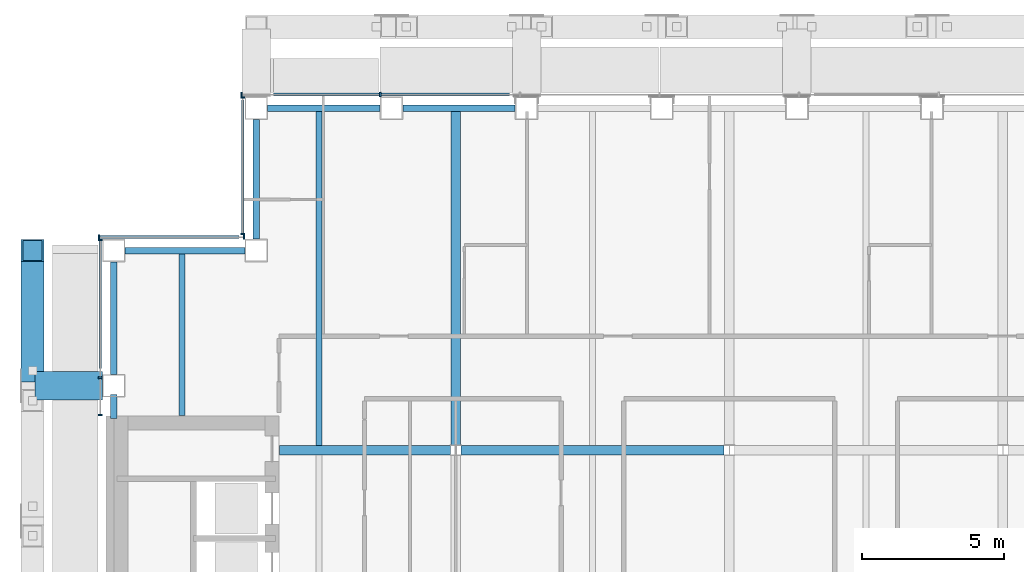
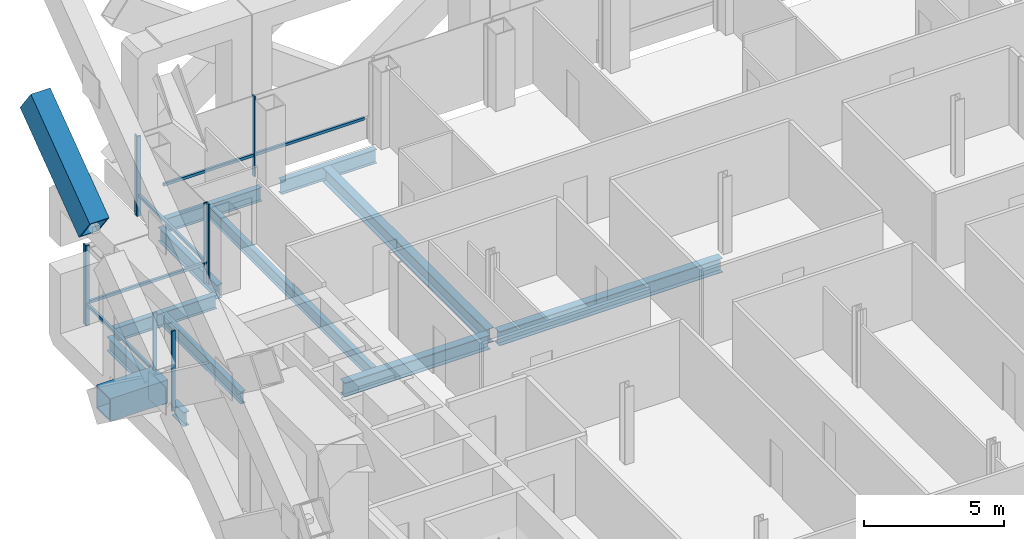
# One storey, part 8 of 25: 15 members, 12 beams, 4 elements without a shape of their own.
"""IFC4 building model written with IfcOpenShell, lengths in metres."""

from ifc_helpers import new_model, si_unit, direction, frame, origin, origin_2d, place, context, subcontext, project, spatial, rectangle, hollow_rectangle, i_section, extrude, material, material_profile, profile_set, type_object, element, aggregate, save


model = new_model("IFC4")

# Units and contexts
model_context = context("Model", 3, precision=1e-05, world=origin(), true_north=direction((0.0, 1.0)))
body_context = subcontext(model_context, "Body", "Model", "MODEL_VIEW")
ifc_project = project(units=[si_unit("LENGTHUNIT", "METRE"), si_unit("AREAUNIT", "SQUARE_METRE"), si_unit("VOLUMEUNIT", "CUBIC_METRE"), si_unit("PLANEANGLEUNIT", "RADIAN"), si_unit("MASSUNIT", "GRAM", prefix="KILO")], contexts=[model_context])

# Site, building, storey
site_placement = place(None, origin())
site = spatial("IfcSite", under=ifc_project, at=site_placement, CompositionType="ELEMENT")
building_placement = place(site_placement, origin())
building = spatial("IfcBuilding", under=site, at=building_placement, Name="Cobrizo Arcos Hotel Tower", CompositionType="ELEMENT")
storey_placement = place(building_placement, frame((0.0, 0.0, 148.0)))
storey = spatial("IfcBuildingStorey", under=building, at=storey_placement, Name="L37", CompositionType="ELEMENT", Elevation=148.0)

# Beam
ifc_material_1 = material(Name="Steel ASTM A572 Grade 50", Category="steel")
ifc_material_profile_1 = material_profile(ifc_material_1, hollow_rectangle(XDim=1.0, YDim=1.0, WallThickness=0.06005859375, at=origin_2d()), Name="BOX 1000X1000X60")
ifc_profile_set_1 = profile_set([ifc_material_profile_1], Name="Steel ASTM A572 Grade 50")
beam_type_1 = type_object("IfcBeamType", Name="BOX 1000X1000X60 brace connector strut", PredefinedType="BEAM", material=ifc_profile_set_1)
beam_1_placement = place(storey_placement, frame((-21.989990234375, 11.857177734375, 0.5), z_axis=(-1.0, 0.0, 0.0), x_axis=(0.0, -1.0, 0.0)))
element("IfcBeam", 1, at=beam_1_placement, inside=storey, type_object=beam_type_1, Name="Perimeter brace stub BS1, zone Z3, west face, offset +11.86 m, L37", PredefinedType="BEAM", context=body_context, shape_type="SweptSolid", body=[
    extrude(hollow_rectangle(XDim=1.0, YDim=1.0, WallThickness=0.06005859375, at=origin_2d()), origin(), (0.0, 0.0, 1.0), 2.380126953125),
])

# Member
ifc_material_profile_2 = material_profile(ifc_material_1, hollow_rectangle(XDim=0.800048828125, YDim=1.300048828125, WallThickness=0.06005859375, at=origin_2d()), Name="BOX 800X1300X60")
ifc_profile_set_2 = profile_set([ifc_material_profile_2], Name="Steel ASTM A572 Grade 50")
member_type_1 = type_object("IfcMemberType", Name="BOX 800X1300X60 perimeter brace", PredefinedType="BRACE", material=ifc_profile_set_2)
member_1_placement = place(storey_placement, frame((-24.449951171875, 12.38037109375, 7.885986328125), z_axis=(0.0, 0.804623858684, 0.593784848271), x_axis=(-1.0, 0.0, 0.0)))
element("IfcMember", 2, at=member_1_placement, inside=storey, type_object=member_type_1, Name="Perimeter brace PBR3, zone Z3, west face, no. 01c", PredefinedType="BRACE", context=body_context, shape_type="SweptSolid", body=[
    extrude(hollow_rectangle(XDim=0.800048828125, YDim=1.300048828125, WallThickness=0.06005859375, at=origin_2d()), origin(), (0.0, 0.0, 1.0), 5.244384765625),
])

# Curtain wall, members
ifc_material_2 = material(Name="Aluminium 6063-T6 anodised bronze", Category="aluminium")
curtain_wall_type = type_object("IfcCurtainWallType", Name="CW-A guest facade", PredefinedType="NOTDEFINED", material=ifc_material_2)
curtain_wall_1_placement = place(storey_placement, origin())
curtain_wall_1 = element("IfcCurtainWall", 3, at=curtain_wall_1_placement, inside=storey, type_object=curtain_wall_type, Name="CW-A L37 N face", PredefinedType="NOTDEFINED")
ifc_material_profile_3 = material_profile(ifc_material_2, rectangle(XDim=0.14990234375, YDim=0.06005859375, at=origin_2d()), Name="CW-A mullion 150x60")
ifc_profile_set_3 = profile_set([ifc_material_profile_3], Name="Aluminium 6063-T6 anodised bronze")
member_type_2 = type_object("IfcMemberType", Name="CW-A mullion 150x60", PredefinedType="MULLION", material=ifc_profile_set_3)
member_2_placement = place(storey_placement, frame((-12.25, 22.074951171875, 0.0), z_axis=(0.0, 0.0, 1.0), x_axis=(0.0, 1.0, 0.0)))
member_2 = element("IfcMember", 4, at=member_2_placement, type_object=member_type_2, Name="CW-A mullion 7", PredefinedType="MULLION", context=body_context, shape_type="SweptSolid", body=[
    extrude(rectangle(XDim=0.14990234375, YDim=0.06005859375, at=origin_2d()), origin(), (0.0, 0.0, 1.0), 3.5),
])
member_3_placement = place(storey_placement, frame((-17.1201171875, 22.074951171875, 0.0), z_axis=(0.0, 0.0, 1.0), x_axis=(0.0, 1.0, 0.0)))
member_3 = element("IfcMember", 5, at=member_3_placement, type_object=member_type_2, Name="CW-A mullion 8", PredefinedType="MULLION", context=body_context, shape_type="SweptSolid", body=[
    extrude(rectangle(XDim=0.14990234375, YDim=0.06005859375, at=origin_2d()), origin(), (0.0, 0.0, 1.0), 3.5),
])

curtain_wall_2_placement = place(storey_placement, origin())
curtain_wall_2 = element("IfcCurtainWall", 6, at=curtain_wall_2_placement, inside=storey, type_object=curtain_wall_type, Name="CW-A L37 W face", PredefinedType="NOTDEFINED")
member_4_placement = place(storey_placement, frame((-17.074951171875, 21.969970703125, 0.0), z_axis=(0.0, 0.0, 1.0), x_axis=(-1.0, 0.0, 0.0)))
member_4 = element("IfcMember", 7, at=member_4_placement, type_object=member_type_2, Name="CW-A mullion 1", PredefinedType="MULLION", context=body_context, shape_type="SweptSolid", body=[
    extrude(rectangle(XDim=0.14990234375, YDim=0.06005859375, at=origin_2d()), origin(), (0.0, 0.0, 1.0), 3.5),
])
member_5_placement = place(storey_placement, frame((-17.074951171875, 17.179931640625, 0.0), z_axis=(0.0, 0.0, 1.0), x_axis=(-1.0, 0.0, 0.0)))
member_5 = element("IfcMember", 8, at=member_5_placement, type_object=member_type_2, Name="CW-A mullion 2", PredefinedType="MULLION", context=body_context, shape_type="SweptSolid", body=[
    extrude(rectangle(XDim=0.14990234375, YDim=0.06005859375, at=origin_2d()), origin(), (0.0, 0.0, 1.0), 3.5),
])

curtain_wall_3_placement = place(storey_placement, origin())
curtain_wall_3 = element("IfcCurtainWall", 9, at=curtain_wall_3_placement, inside=storey, type_object=curtain_wall_type, Name="CW-A L37 N face", PredefinedType="NOTDEFINED")
member_6_placement = place(storey_placement, frame((-17.030029296875, 17.074951171875, 0.0), z_axis=(0.0, 0.0, 1.0), x_axis=(0.0, 1.0, 0.0)))
member_6 = element("IfcMember", 10, at=member_6_placement, type_object=member_type_2, Name="CW-A mullion 1", PredefinedType="MULLION", context=body_context, shape_type="SweptSolid", body=[
    extrude(rectangle(XDim=0.14990234375, YDim=0.06005859375, at=origin_2d()), origin(), (0.0, 0.0, 1.0), 3.5),
])
member_7_placement = place(storey_placement, frame((-22.1201171875, 17.074951171875, 0.0), z_axis=(0.0, 0.0, 1.0), x_axis=(0.0, 1.0, 0.0)))
member_7 = element("IfcMember", 11, at=member_7_placement, type_object=member_type_2, Name="CW-A mullion 2", PredefinedType="MULLION", context=body_context, shape_type="SweptSolid", body=[
    extrude(rectangle(XDim=0.14990234375, YDim=0.06005859375, at=origin_2d()), origin(), (0.0, 0.0, 1.0), 3.5),
])

curtain_wall_4_placement = place(storey_placement, origin())
curtain_wall_4 = element("IfcCurtainWall", 12, at=curtain_wall_4_placement, inside=storey, type_object=curtain_wall_type, Name="CW-A L37 W face", PredefinedType="NOTDEFINED")
member_8_placement = place(storey_placement, frame((-22.074951171875, 16.969970703125, 0.0), z_axis=(0.0, 0.0, 1.0), x_axis=(-1.0, 0.0, 0.0)))
member_8 = element("IfcMember", 13, at=member_8_placement, type_object=member_type_2, Name="CW-A mullion 1", PredefinedType="MULLION", context=body_context, shape_type="SweptSolid", body=[
    extrude(rectangle(XDim=0.14990234375, YDim=0.06005859375, at=origin_2d()), origin(), (0.0, 0.0, 1.0), 3.5),
])
member_9_placement = place(storey_placement, frame((-22.074951171875, 12.142822265625, 0.0), z_axis=(0.0, 0.0, 1.0), x_axis=(-1.0, 0.0, 0.0)))
member_9 = element("IfcMember", 14, at=member_9_placement, type_object=member_type_2, Name="CW-A mullion 2", PredefinedType="MULLION", context=body_context, shape_type="SweptSolid", body=[
    extrude(rectangle(XDim=0.14990234375, YDim=0.06005859375, at=origin_2d()), origin(), (0.0, 0.0, 1.0), 3.5),
])
member_10_placement = place(storey_placement, frame((-22.074951171875, 10.830078125, 0.0), z_axis=(0.0, 0.0, 1.0), x_axis=(-1.0, 0.0, 0.0)))
member_10 = element("IfcMember", 15, at=member_10_placement, type_object=member_type_2, Name="CW-A mullion 3", PredefinedType="MULLION", context=body_context, shape_type="SweptSolid", body=[
    extrude(rectangle(XDim=0.14990234375, YDim=0.06005859375, at=origin_2d()), origin(), (0.0, 0.0, 1.0), 3.5),
])

# Member
ifc_material_profile_4 = material_profile(ifc_material_2, rectangle(XDim=0.10009765625, YDim=0.1201171875, at=origin_2d()), Name="CW-A transom 120x100")
ifc_profile_set_4 = profile_set([ifc_material_profile_4], Name="Aluminium 6063-T6 anodised bronze")
member_type_3 = type_object("IfcMemberType", Name="CW-A transom 120x100", PredefinedType="USERDEFINED", material=ifc_profile_set_4)
member_11_placement = place(storey_placement, frame((-7.71435546875, 22.074951171875, 0.929931640625), z_axis=(-1.0, 0.0, 0.0), x_axis=(0.0, -1.0, 0.0)))
member_11 = element("IfcMember", 16, at=member_11_placement, type_object=member_type_3, Name="CW-A transom 1356", ObjectType="TRANSOM", PredefinedType="USERDEFINED", context=body_context, shape_type="SweptSolid", body=[
    extrude(rectangle(XDim=0.10009765625, YDim=0.1201171875, at=origin_2d()), origin(), (0.0, 0.0, 1.0), 4.505615234375),
])

member_12_placement = place(storey_placement, frame((-12.280029296875, 22.074951171875, 0.929931640625), z_axis=(-1.0, 0.0, 0.0), x_axis=(0.0, -1.0, 0.0)))
member_12 = element("IfcMember", 17, at=member_12_placement, type_object=member_type_3, Name="CW-A transom 1357", ObjectType="TRANSOM", PredefinedType="USERDEFINED", context=body_context, shape_type="SweptSolid", body=[
    extrude(rectangle(XDim=0.10009765625, YDim=0.1201171875, at=origin_2d()), origin(), (0.0, 0.0, 1.0), 3.719970703125),
])

aggregate(curtain_wall_1, [member_2, member_3, member_11, member_12])

member_13_placement = place(storey_placement, frame((-17.074951171875, 21.889892578125, 0.929931640625), z_axis=(0.0, -1.0, 0.0), x_axis=(1.0, 0.0, 0.0)))
member_13 = element("IfcMember", 18, at=member_13_placement, type_object=member_type_3, Name="CW-A transom 1358", ObjectType="TRANSOM", PredefinedType="USERDEFINED", context=body_context, shape_type="SweptSolid", body=[
    extrude(rectangle(XDim=0.10009765625, YDim=0.1201171875, at=origin_2d()), origin(), (0.0, 0.0, 1.0), 4.679931640625),
])

aggregate(curtain_wall_2, [member_4, member_5, member_13])

member_14_placement = place(storey_placement, frame((-17.199951171875, 17.074951171875, 0.929931640625), z_axis=(-1.0, 0.0, 0.0), x_axis=(0.0, -1.0, 0.0)))
member_14 = element("IfcMember", 19, at=member_14_placement, type_object=member_type_3, Name="CW-A transom 1359", ObjectType="TRANSOM", PredefinedType="USERDEFINED", context=body_context, shape_type="SweptSolid", body=[
    extrude(rectangle(XDim=0.10009765625, YDim=0.1201171875, at=origin_2d()), origin(), (0.0, 0.0, 1.0), 4.89013671875),
])

aggregate(curtain_wall_3, [member_6, member_7, member_14])

member_15_placement = place(storey_placement, frame((-22.074951171875, 16.93994140625, 0.929931640625), z_axis=(0.0, -1.0, 0.0), x_axis=(1.0, 0.0, 0.0)))
member_15 = element("IfcMember", 20, at=member_15_placement, type_object=member_type_3, Name="CW-A transom 1360", ObjectType="TRANSOM", PredefinedType="USERDEFINED", context=body_context, shape_type="SweptSolid", body=[
    extrude(rectangle(XDim=0.10009765625, YDim=0.1201171875, at=origin_2d()), origin(), (0.0, 0.0, 1.0), 4.48291015625),
])

aggregate(curtain_wall_4, [member_8, member_9, member_10, member_15])

# Beams
ifc_material_3 = material(Name="Steel ASTM A992 Grade 50", Category="steel")
ifc_material_profile_5 = material_profile(ifc_material_3, i_section(OverallWidth=0.209228515625, OverallDepth=0.533447265625, WebThickness=0.01025390625, FlangeThickness=0.015625, at=origin_2d()), Name="W21X62")
ifc_profile_set_5 = profile_set([ifc_material_profile_5], Name="Steel ASTM A992 Grade 50")
beam_type_2 = type_object("IfcBeamType", Name="W21X62 joist", PredefinedType="JOIST", material=ifc_profile_set_5)
beam_2_placement = place(storey_placement, frame((-19.199951171875, 10.81005859375, -0.416748046875), z_axis=(0.0, 1.0, 0.0), x_axis=(-1.0, 0.0, 0.0)))
element("IfcBeam", 21, at=beam_2_placement, inside=storey, type_object=beam_type_2, Name="Floor joist J1, L37, no. 002", PredefinedType="JOIST", context=body_context, shape_type="SweptSolid", body=[
    extrude(i_section(OverallWidth=0.209228515625, OverallDepth=0.533447265625, WebThickness=0.01025390625, FlangeThickness=0.015625, at=origin_2d()), origin(), (0.0, 0.0, 1.0), 5.699951171875),
])
beam_3_placement = place(storey_placement, frame((-14.39990234375, 9.763916015625, -0.416748046875), z_axis=(0.0, 1.0, 0.0), x_axis=(-1.0, 0.0, 0.0)))
element("IfcBeam", 22, at=beam_3_placement, inside=storey, type_object=beam_type_2, Name="Floor joist J1, L37, no. 006", PredefinedType="JOIST", context=body_context, shape_type="SweptSolid", body=[
    extrude(i_section(OverallWidth=0.209228515625, OverallDepth=0.533447265625, WebThickness=0.01025390625, FlangeThickness=0.015625, at=origin_2d()), origin(), (0.0, 0.0, 1.0), 11.74609375),
])
ifc_material_profile_6 = material_profile(ifc_material_3, i_section(OverallWidth=0.32763671875, OverallDepth=0.622314453125, WebThickness=0.015380859375, FlangeThickness=0.0244140625, at=origin_2d()), Name="W24X131")
ifc_profile_set_6 = profile_set([ifc_material_profile_6], Name="Steel ASTM A992 Grade 50")
beam_type_3 = type_object("IfcBeamType", Name="W24X131 girder", PredefinedType="BEAM", material=ifc_profile_set_6)
beam_4_placement = place(storey_placement, frame((-15.7900390625, 9.60009765625, -0.461181640625), z_axis=(1.0, 0.0, 0.0), x_axis=(0.0, 1.0, 0.0)))
element("IfcBeam", 23, at=beam_4_placement, inside=storey, type_object=beam_type_3, Name="Floor girder G1, L37, no. 009", PredefinedType="BEAM", context=body_context, shape_type="SweptSolid", body=[
    extrude(i_section(OverallWidth=0.32763671875, OverallDepth=0.622314453125, WebThickness=0.015380859375, FlangeThickness=0.0244140625, at=origin_2d()), origin(), (0.0, 0.0, 1.0), 6.00341796875),
])
beam_5_placement = place(storey_placement, frame((-9.413330078125, 9.60009765625, -0.461181640625), z_axis=(1.0, 0.0, 0.0), x_axis=(0.0, 1.0, 0.0)))
element("IfcBeam", 24, at=beam_5_placement, inside=storey, type_object=beam_type_3, Name="Floor girder G1, L37, no. 010", PredefinedType="BEAM", context=body_context, shape_type="SweptSolid", body=[
    extrude(i_section(OverallWidth=0.32763671875, OverallDepth=0.622314453125, WebThickness=0.015380859375, FlangeThickness=0.0244140625, at=origin_2d()), origin(), (0.0, 0.0, 1.0), 9.2265625),
])
beam_6_placement = place(storey_placement, frame((-9.60009765625, 9.78662109375, -0.461181640625), z_axis=(0.0, 1.0, 0.0), x_axis=(-1.0, 0.0, 0.0)))
element("IfcBeam", 25, at=beam_6_placement, inside=storey, type_object=beam_type_3, Name="Floor girder G1, L37, no. 016", PredefinedType="BEAM", context=body_context, shape_type="SweptSolid", body=[
    extrude(i_section(OverallWidth=0.32763671875, OverallDepth=0.622314453125, WebThickness=0.015380859375, FlangeThickness=0.0244140625, at=origin_2d()), origin(), (0.0, 0.0, 1.0), 11.723388671875),
])
ifc_material_profile_7 = material_profile(ifc_material_3, i_section(OverallWidth=0.228271484375, OverallDepth=0.607177734375, WebThickness=0.01123046875, FlangeThickness=0.017333984375, at=origin_2d()), Name="W24X76")
ifc_profile_set_7 = profile_set([ifc_material_profile_7], Name="Steel ASTM A992 Grade 50")
beam_type_4 = type_object("IfcBeamType", Name="W24X76 spandrel", PredefinedType="SPANDREL", material=ifc_profile_set_7)
beam_7_placement = place(storey_placement, frame((-7.513916015625, 21.60009765625, -0.45361328125), z_axis=(-1.0, 0.0, 0.0), x_axis=(0.0, -1.0, 0.0)))
element("IfcBeam", 26, at=beam_7_placement, inside=storey, type_object=beam_type_4, Name="Spandrel beam W24X76, L37, no. 021", PredefinedType="SPANDREL", context=body_context, shape_type="SweptSolid", body=[
    extrude(i_section(OverallWidth=0.228271484375, OverallDepth=0.607177734375, WebThickness=0.01123046875, FlangeThickness=0.017333984375, at=origin_2d()), origin(), (0.0, 0.0, 1.0), 3.943115234375),
])
beam_8_placement = place(storey_placement, frame((-12.257080078125, 21.60009765625, -0.45361328125), z_axis=(-1.0, 0.0, 0.0), x_axis=(0.0, -1.0, 0.0)))
element("IfcBeam", 27, at=beam_8_placement, inside=storey, type_object=beam_type_4, Name="Spandrel beam W24X76, L37, no. 022", PredefinedType="SPANDREL", context=body_context, shape_type="SweptSolid", body=[
    extrude(i_section(OverallWidth=0.228271484375, OverallDepth=0.607177734375, WebThickness=0.01123046875, FlangeThickness=0.017333984375, at=origin_2d()), origin(), (0.0, 0.0, 1.0), 3.94287109375),
])
for number, where, z_axis, x_axis, name in (
    (28, (-16.60009765625, 21.199951171875, -0.45361328125), (0.0, -1.0, 0.0), (1.0, 0.0, 0.0), "Spandrel beam W24X76, L37, no. 023"),
    (29, (-17.0, 16.60009765625, -0.45361328125), (-1.0, 0.0, 0.0), (0.0, -1.0, 0.0), "Spandrel beam W24X76, L37, no. 024"),
):
    element("IfcBeam", number, at=place(storey_placement, frame(where, z_axis=z_axis, x_axis=x_axis)), inside=storey, type_object=beam_type_4, Name=name, PredefinedType="SPANDREL", context=body_context, shape_type="SweptSolid", body=[
        extrude(i_section(OverallWidth=0.228271484375, OverallDepth=0.607177734375, WebThickness=0.01123046875, FlangeThickness=0.017333984375, at=origin_2d()), origin(), (0.0, 0.0, 1.0), 4.199951171875),
    ])
beam_9_placement = place(storey_placement, frame((-21.60009765625, 16.199951171875, -0.45361328125), z_axis=(0.0, -1.0, 0.0), x_axis=(1.0, 0.0, 0.0)))
element("IfcBeam", 30, at=beam_9_placement, inside=storey, type_object=beam_type_4, Name="Spandrel beam W24X76, L37, no. 025", PredefinedType="SPANDREL", context=body_context, shape_type="SweptSolid", body=[
    extrude(i_section(OverallWidth=0.228271484375, OverallDepth=0.607177734375, WebThickness=0.01123046875, FlangeThickness=0.017333984375, at=origin_2d()), origin(), (0.0, 0.0, 1.0), 3.94287109375),
])
beam_10_placement = place(storey_placement, frame((-21.60009765625, 11.556884765625, -0.45361328125), z_axis=(0.0, -1.0, 0.0), x_axis=(1.0, 0.0, 0.0)))
element("IfcBeam", 31, at=beam_10_placement, inside=storey, type_object=beam_type_4, Name="Spandrel beam W24X76, L37, no. 026", PredefinedType="SPANDREL", context=body_context, shape_type="SweptSolid", body=[
    extrude(i_section(OverallWidth=0.228271484375, OverallDepth=0.607177734375, WebThickness=0.01123046875, FlangeThickness=0.017333984375, at=origin_2d()), origin(), (0.0, 0.0, 1.0), 0.846923828125),
])

save(model, "model.ifc")
